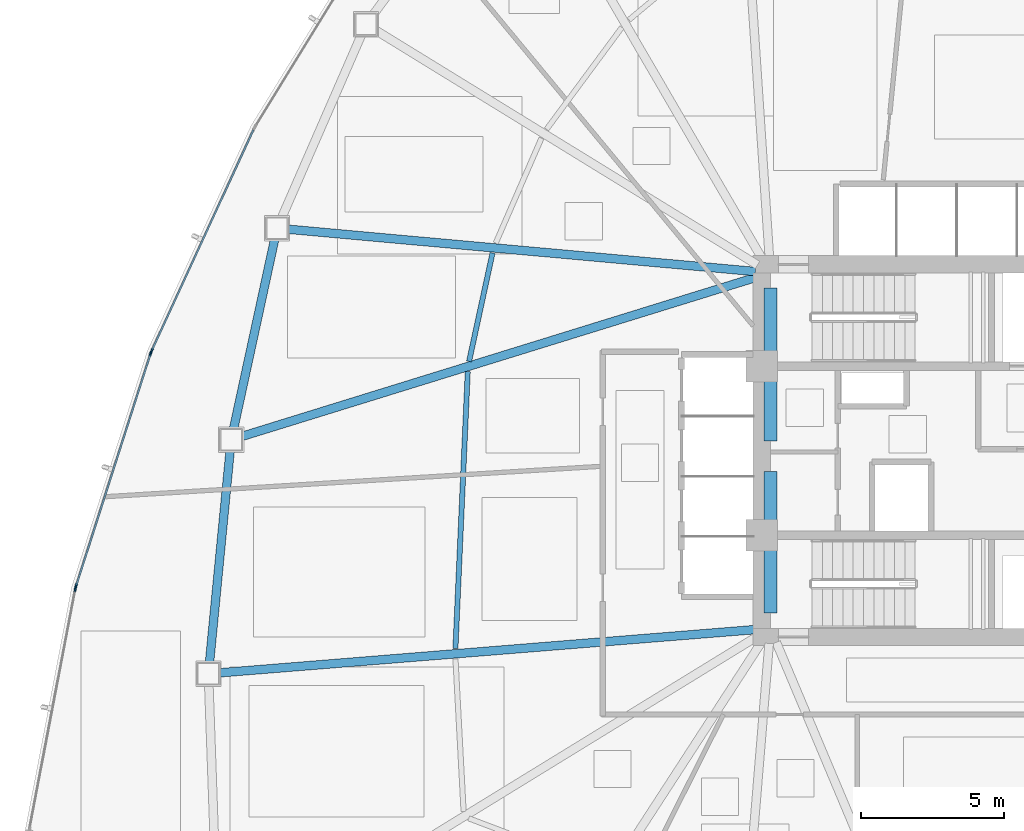
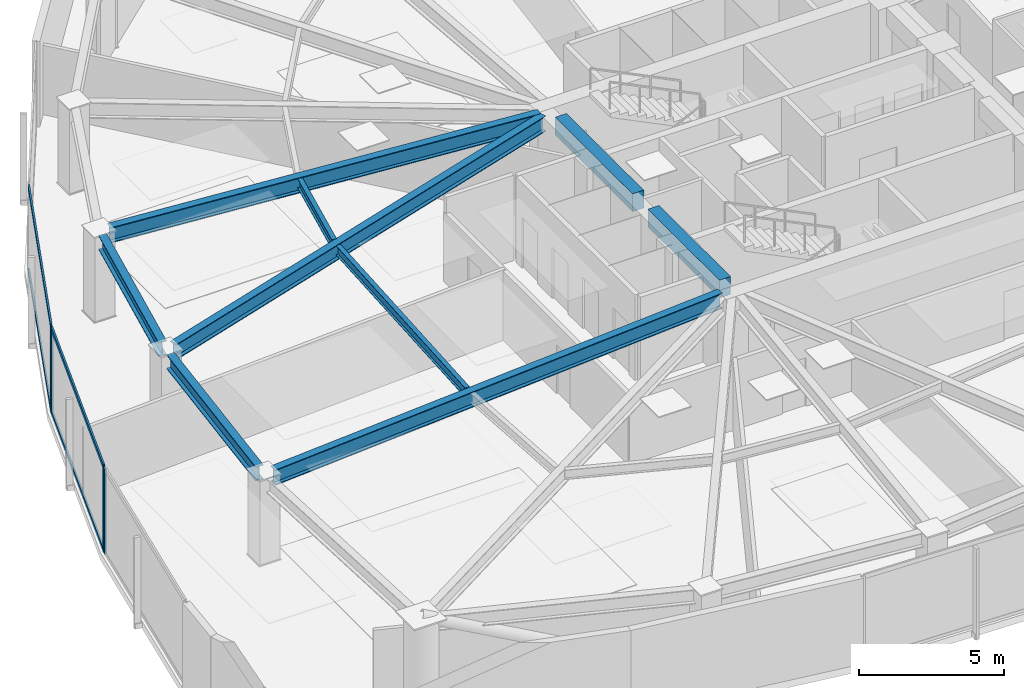
# One storey, part 4 of 16: 9 beams, 8 members, 3 elements without a shape of their own.
"""IFC4 building model written with IfcOpenShell, lengths in metres."""

from ifc_helpers import new_model, si_unit, direction, frame, origin, origin_2d, place, context, subcontext, project, spatial, rectangle, hollow_rectangle, i_section, extrude, source, transform, mapped, material, layer, layer_set, material_profile, profile_set, type_object, type_shapes, element, aggregate, save


model = new_model("IFC4")

# Units and contexts
model_context = context("Model", 3, precision=1e-05, world=origin(), true_north=direction((0.0, 1.0)))
body_context = subcontext(model_context, "Body", "Model", "MODEL_VIEW")
ifc_project = project(units=[si_unit("LENGTHUNIT", "METRE"), si_unit("AREAUNIT", "SQUARE_METRE"), si_unit("VOLUMEUNIT", "CUBIC_METRE"), si_unit("PLANEANGLEUNIT", "RADIAN"), si_unit("MASSUNIT", "GRAM", prefix="KILO")], contexts=[model_context])

# Site, building, storey
site_placement = place(None, origin())
site = spatial("IfcSite", under=ifc_project, at=site_placement, CompositionType="ELEMENT")
building_placement = place(site_placement, origin())
building = spatial("IfcBuilding", under=site, at=building_placement, Name="Tavelor Broadcast Tower", CompositionType="ELEMENT")
storey_placement = place(building_placement, frame((0.0, 0.0, 31.5)))
storey = spatial("IfcBuildingStorey", under=building, at=storey_placement, Name="L06", CompositionType="ELEMENT", Elevation=31.5)

# Beams
ifc_material_1 = material(Name="Concrete C40/50", Category="concrete")
ifc_material_profile_1 = material_profile(ifc_material_1, rectangle(XDim=0.449951171875, YDim=0.75, at=origin_2d()), Name="RC 450x750")
ifc_profile_set_1 = profile_set([ifc_material_profile_1], Name="Concrete C40/50")
beam_type_1 = type_object("IfcBeamType", Name="Basement Core Trim Beam 450x750", PredefinedType="BEAM", material=ifc_profile_set_1)
beam_1_placement = place(storey_placement, frame((43.39990234375, 45.327880859375, 3.22509765625), z_axis=(0.0, 1.0, 0.0), x_axis=(-1.0, 0.0, 0.0)))
element("IfcBeam", 1, at=beam_1_placement, inside=storey, type_object=beam_type_1, Name="L06 Core West-N Tie Girder", PredefinedType="BEAM", context=body_context, shape_type="SweptSolid", body=[
    extrude(rectangle(XDim=0.449951171875, YDim=0.75, at=origin_2d()), origin(), (0.0, 0.0, 1.0), 5.34423828125),
])
beam_2_placement = place(storey_placement, frame((43.39990234375, 39.327880859375, 3.22509765625), z_axis=(0.0, 1.0, 0.0), x_axis=(-1.0, 0.0, 0.0)))
element("IfcBeam", 2, at=beam_2_placement, inside=storey, type_object=beam_type_1, Name="L06 Core West-S Tie Girder", PredefinedType="BEAM", context=body_context, shape_type="SweptSolid", body=[
    extrude(rectangle(XDim=0.449951171875, YDim=0.75, at=origin_2d()), origin(), (0.0, 0.0, 1.0), 4.944091796875),
])
ifc_material_2 = material(Name="Steel S355", Category="steel")
ifc_material_profile_2 = material_profile(ifc_material_2, i_section(OverallWidth=0.179931640625, OverallDepth=0.39990234375, WebThickness=0.008544921875, FlangeThickness=0.013427734375, at=origin_2d()), Name="IPE 400")
ifc_profile_set_2 = profile_set([ifc_material_profile_2], Name="Steel S355")
beam_type_2 = type_object("IfcBeamType", Name="Composite Floor Joist T1 IPE 400", PredefinedType="JOIST", material=ifc_profile_set_2)
beam_3_placement = place(storey_placement, frame((33.70654296875, 51.897216796875, 3.39990234375), z_axis=(-0.211371868345, -0.977405715797, 0.0), x_axis=(0.977405715797, -0.211371868345, 0.0)))
element("IfcBeam", 3, at=beam_3_placement, inside=storey, type_object=beam_type_2, Name="L06 Secondary Composite Floor Joist 04", PredefinedType="JOIST", context=body_context, shape_type="SweptSolid", body=[
    extrude(i_section(OverallWidth=0.179931640625, OverallDepth=0.39990234375, WebThickness=0.008544921875, FlangeThickness=0.013427734375, at=origin_2d()), origin(), (0.0, 0.0, 1.0), 3.87158203125),
])
beam_4_placement = place(storey_placement, frame((32.841796875, 47.75537109375, 3.39990234375), z_axis=(-0.044449316538, -0.999011640703, 0.0), x_axis=(0.999011640703, -0.044449316538, 0.0)))
element("IfcBeam", 4, at=beam_4_placement, inside=storey, type_object=beam_type_2, Name="L06 Secondary Composite Floor Joist 05", PredefinedType="JOIST", context=body_context, shape_type="SweptSolid", body=[
    extrude(i_section(OverallWidth=0.179931640625, OverallDepth=0.39990234375, WebThickness=0.008544921875, FlangeThickness=0.013427734375, at=origin_2d()), origin(), (0.0, 0.0, 1.0), 9.67236328125),
])
ifc_material_profile_3 = material_profile(ifc_material_2, i_section(OverallWidth=0.300048828125, OverallDepth=0.60009765625, WebThickness=0.015380859375, FlangeThickness=0.030029296875, at=origin_2d()), Name="HEB 600")
ifc_profile_set_3 = profile_set([ifc_material_profile_3], Name="Steel S355")
beam_type_3 = type_object("IfcBeamType", Name="Perimeter Spandrel Beam T1 HEB 600", PredefinedType="SPANDREL", material=ifc_profile_set_3)
beam_5_placement = place(storey_placement, frame((26.10791015625, 52.3828125, 3.300048828125), z_axis=(-0.211857092451, -0.977300656082, 0.0), x_axis=(0.977300656082, -0.211857092451, 0.0)))
element("IfcBeam", 5, at=beam_5_placement, inside=storey, type_object=beam_type_3, Name="L06 Framed-Tube Ring Spandrel 04", PredefinedType="SPANDREL", context=body_context, shape_type="SweptSolid", body=[
    extrude(i_section(OverallWidth=0.300048828125, OverallDepth=0.60009765625, WebThickness=0.015380859375, FlangeThickness=0.030029296875, at=origin_2d()), origin(), (0.0, 0.0, 1.0), 6.780517578125),
])
beam_6_placement = place(storey_placement, frame((24.552734375, 44.99853515625, 3.300048828125), z_axis=(-0.096967474029, -0.995287550902, 0.0), x_axis=(0.995287550902, -0.096967474029, 0.0)))
element("IfcBeam", 6, at=beam_6_placement, inside=storey, type_object=beam_type_3, Name="L06 Framed-Tube Ring Spandrel 05", PredefinedType="SPANDREL", context=body_context, shape_type="SweptSolid", body=[
    extrude(i_section(OverallWidth=0.300048828125, OverallDepth=0.60009765625, WebThickness=0.015380859375, FlangeThickness=0.030029296875, at=origin_2d()), origin(), (0.0, 0.0, 1.0), 7.43505859375),
])
ifc_material_profile_4 = material_profile(ifc_material_2, i_section(OverallWidth=0.300048828125, OverallDepth=0.64990234375, WebThickness=0.01611328125, FlangeThickness=0.031005859375, at=origin_2d()), Name="HEB 650")
ifc_profile_set_4 = profile_set([ifc_material_profile_4], Name="Steel S355")
beam_type_4 = type_object("IfcBeamType", Name="Radial Floor Girder T1 HEB 650", PredefinedType="BEAM", material=ifc_profile_set_4)
beam_7_placement = place(storey_placement, frame((42.874267578125, 51.24755859375, 3.27490234375), z_axis=(-0.995926026359, 0.090173998583, 0.0), x_axis=(-0.090173998583, -0.995926026359, 0.0)))
element("IfcBeam", 7, at=beam_7_placement, inside=storey, type_object=beam_type_4, Name="L06 Radial Primary Floor Girder 04", PredefinedType="BEAM", context=body_context, shape_type="SweptSolid", body=[
    extrude(i_section(OverallWidth=0.300048828125, OverallDepth=0.64990234375, WebThickness=0.01611328125, FlangeThickness=0.031005859375, at=origin_2d()), origin(), (0.0, 0.0, 1.0), 16.369140625),
])
beam_8_placement = place(storey_placement, frame((42.8955078125, 51.0439453125, 3.27490234375), z_axis=(-0.955325842182, -0.29555462314, 0.0), x_axis=(0.29555462314, -0.955325842182, 0.0)))
element("IfcBeam", 8, at=beam_8_placement, inside=storey, type_object=beam_type_4, Name="L06 Radial Primary Floor Girder 05", PredefinedType="BEAM", context=body_context, shape_type="SweptSolid", body=[
    extrude(i_section(OverallWidth=0.300048828125, OverallDepth=0.64990234375, WebThickness=0.01611328125, FlangeThickness=0.031005859375, at=origin_2d()), origin(), (0.0, 0.0, 1.0), 18.777587890625),
])
beam_9_placement = place(storey_placement, frame((42.873779296875, 38.757568359375, 3.27490234375), z_axis=(-0.996753315624, -0.080516009538, 0.0), x_axis=(0.080516009538, -0.996753315624, 0.0)))
element("IfcBeam", 9, at=beam_9_placement, inside=storey, type_object=beam_type_4, Name="L06 Radial Primary Floor Girder 06", PredefinedType="BEAM", context=body_context, shape_type="SweptSolid", body=[
    extrude(i_section(OverallWidth=0.300048828125, OverallDepth=0.64990234375, WebThickness=0.01611328125, FlangeThickness=0.031005859375, at=origin_2d()), origin(), (0.0, 0.0, 1.0), 18.757080078125),
])

# Curtain wall, member
ifc_material_3 = material(Name="Architectural Anodized Aluminium", Category="aluminium")
ifc_layer = layer(ifc_material_3, 0.179931640625)
ifc_layer_set = layer_set([ifc_layer], Name="Architectural Anodized Aluminium")
curtain_wall_type = type_object("IfcCurtainWallType", Name="Tower Low-Zone Unitised Curtain Wall CW02", PredefinedType="NOTDEFINED", material=ifc_layer_set)
curtain_wall_1_placement = place(storey_placement, origin())
curtain_wall_1 = element("IfcCurtainWall", 10, at=curtain_wall_1_placement, inside=storey, type_object=curtain_wall_type, Name="L06 Curtain Wall CW02 Run 26", PredefinedType="NOTDEFINED")
ifc_material_profile_5 = material_profile(ifc_material_3, hollow_rectangle(XDim=0.06494140625, YDim=0.179931640625, WallThickness=0.02197265625, at=origin_2d()), Name="RHS 65x180x22")
ifc_profile_set_5 = profile_set([ifc_material_profile_5], Name="Architectural Anodized Aluminium")
member_type_1 = type_object("IfcMemberType", Name="CW02 Extruded Aluminium Mullion 65x180", PredefinedType="MULLION", material=ifc_profile_set_5)
shared_shape_1 = source(origin(), body_context, "Body", "SweptSolid", [
    extrude(hollow_rectangle(XDim=0.06494140625, YDim=0.179931640625, WallThickness=0.02197265625, at=origin_2d()), origin(), (0.0, 0.0, 1.0), 3.60009765625),
])
type_shapes(member_type_1, [shared_shape_1])
member_1_placement = place(storey_placement, frame((21.8134765625, 48.47607421875, 0.0), z_axis=(0.0, 0.0, 1.0), x_axis=(0.908331858323, -0.418250206402, 0.0)))
member_1 = element("IfcMember", 11, at=member_1_placement, type_object=member_type_1, Name="CW02 mullion 2", PredefinedType="MULLION", context=body_context, shape_type="MappedRepresentation", body=[
    mapped(shared_shape_1, transform((0.0, 0.0, 0.0), scale=1.0)),
])

# Curtain wall, members
curtain_wall_2_placement = place(storey_placement, origin())
curtain_wall_2 = element("IfcCurtainWall", 12, at=curtain_wall_2_placement, inside=storey, type_object=curtain_wall_type, Name="L06 Curtain Wall CW02 Run 27", PredefinedType="NOTDEFINED")
member_2_placement = place(storey_placement, frame((21.779296875, 48.3876953125, 0.0), z_axis=(0.0, 0.0, 1.0), x_axis=(0.952265972303, -0.305269582491, 0.0)))
member_2 = element("IfcMember", 13, at=member_2_placement, type_object=member_type_1, Name="CW02 mullion 1", PredefinedType="MULLION", context=body_context, shape_type="MappedRepresentation", body=[
    mapped(shared_shape_1, transform((0.0, 0.0, 0.0), scale=1.0)),
])
member_3_placement = place(storey_placement, frame((19.17724609375, 40.271240234375, 0.0), z_axis=(0.0, 0.0, 1.0), x_axis=(0.952265972303, -0.305269582491, 0.0)))
member_3 = element("IfcMember", 14, at=member_3_placement, type_object=member_type_1, Name="CW02 mullion 2", PredefinedType="MULLION", context=body_context, shape_type="MappedRepresentation", body=[
    mapped(shared_shape_1, transform((0.0, 0.0, 0.0), scale=1.0)),
])

# Curtain wall, member
curtain_wall_3_placement = place(storey_placement, origin())
curtain_wall_3 = element("IfcCurtainWall", 15, at=curtain_wall_3_placement, inside=storey, type_object=curtain_wall_type, Name="L06 Curtain Wall CW02 Run 28", PredefinedType="NOTDEFINED")
member_4_placement = place(storey_placement, frame((19.15380859375, 40.179443359375, 0.0), z_axis=(0.0, 0.0, 1.0), x_axis=(0.98221087484, -0.187781248653, 0.0)))
member_4 = element("IfcMember", 16, at=member_4_placement, type_object=member_type_1, Name="CW02 mullion 1", PredefinedType="MULLION", context=body_context, shape_type="MappedRepresentation", body=[
    mapped(shared_shape_1, transform((0.0, 0.0, 0.0), scale=1.0)),
])
aggregate(curtain_wall_3, [member_4])

# Member
ifc_material_profile_6 = material_profile(ifc_material_3, hollow_rectangle(XDim=0.06494140625, YDim=0.179931640625, WallThickness=0.02197265625, at=origin_2d()), Name="RHS 65x180x22")
ifc_profile_set_6 = profile_set([ifc_material_profile_6], Name="Architectural Anodized Aluminium")
member_type_2 = type_object("IfcMemberType", Name="CW02 Extruded Aluminium Transom 65x180", PredefinedType="USERDEFINED", material=ifc_profile_set_6)
shared_shape_2 = source(origin(), body_context, "Body", "SweptSolid", [
    extrude(hollow_rectangle(XDim=0.06494140625, YDim=0.179931640625, WallThickness=0.02197265625, at=origin_2d()), origin(), (0.0, 0.0, 1.0), 8.458251953125),
])
type_shapes(member_type_2, [shared_shape_2])
member_5_placement = place(storey_placement, frame((25.36474609375, 56.1884765625, 0.032470703125), z_axis=(-0.418245300445, -0.908334117302, 0.0), x_axis=(0.908334117302, -0.418245300445, 0.0)))
member_5 = element("IfcMember", 17, at=member_5_placement, type_object=member_type_2, Name="CW02 transom 1.1", ObjectType="TRANSOM", PredefinedType="USERDEFINED", context=body_context, shape_type="MappedRepresentation", body=[
    mapped(shared_shape_2, transform((0.0, 0.0, 0.0), scale=1.0)),
])

member_6_placement = place(storey_placement, frame((25.36474609375, 56.1884765625, 3.5673828125), z_axis=(-0.418245300445, -0.908334117302, 0.0), x_axis=(0.908334117302, -0.418245300445, 0.0)))
member_6 = element("IfcMember", 18, at=member_6_placement, type_object=member_type_2, Name="CW02 transom 1.2", ObjectType="TRANSOM", PredefinedType="USERDEFINED", context=body_context, shape_type="MappedRepresentation", body=[
    mapped(shared_shape_2, transform((0.0, 0.0, 0.0), scale=1.0)),
])

aggregate(curtain_wall_1, [member_1, member_5, member_6])

member_7_placement = place(storey_placement, frame((21.769287109375, 48.356689453125, 0.032470703125), z_axis=(-0.30527002577, -0.9522658302, 0.0), x_axis=(0.9522658302, -0.30527002577, 0.0)))
member_7 = element("IfcMember", 19, at=member_7_placement, type_object=member_type_2, Name="CW02 transom 1.1", ObjectType="TRANSOM", PredefinedType="USERDEFINED", context=body_context, shape_type="MappedRepresentation", body=[
    mapped(shared_shape_2, transform((0.0, 0.0, 0.0), scale=1.0)),
])

member_8_placement = place(storey_placement, frame((21.769287109375, 48.356689453125, 3.5673828125), z_axis=(-0.30527002577, -0.9522658302, 0.0), x_axis=(0.9522658302, -0.30527002577, 0.0)))
member_8 = element("IfcMember", 20, at=member_8_placement, type_object=member_type_2, Name="CW02 transom 1.2", ObjectType="TRANSOM", PredefinedType="USERDEFINED", context=body_context, shape_type="MappedRepresentation", body=[
    mapped(shared_shape_2, transform((0.0, 0.0, 0.0), scale=1.0)),
])

aggregate(curtain_wall_2, [member_2, member_3, member_7, member_8])

save(model, "model.ifc")
